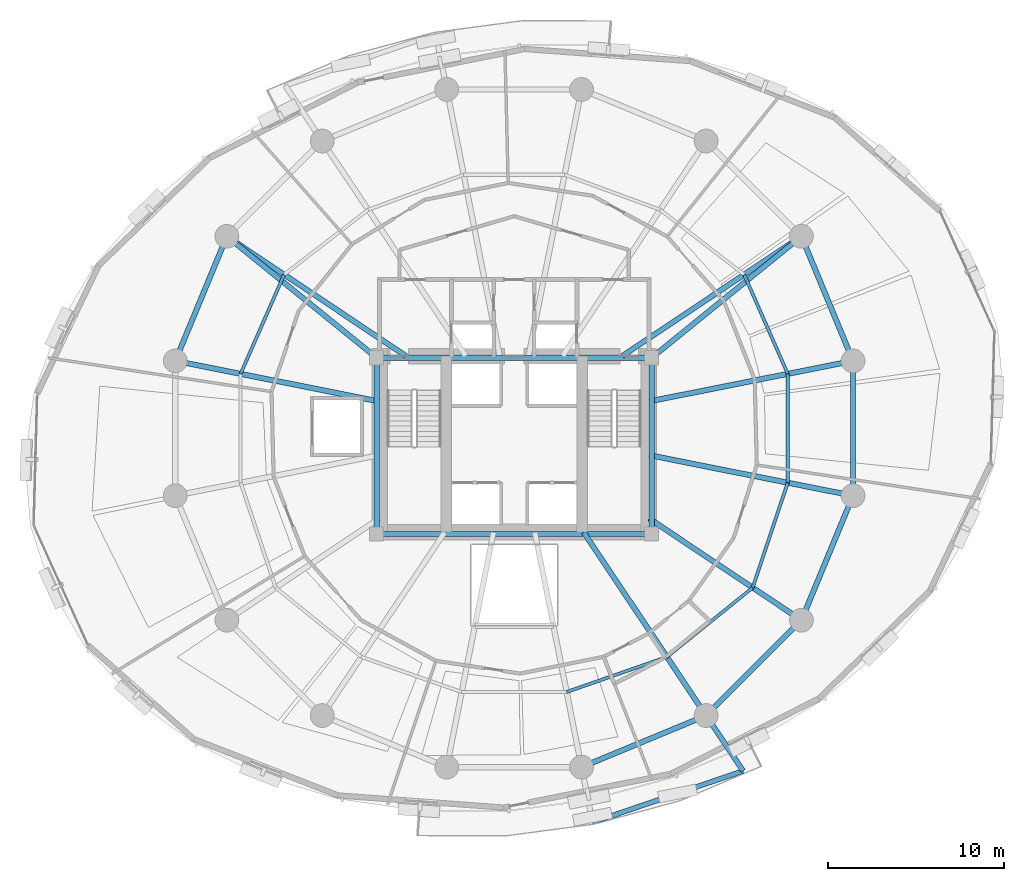
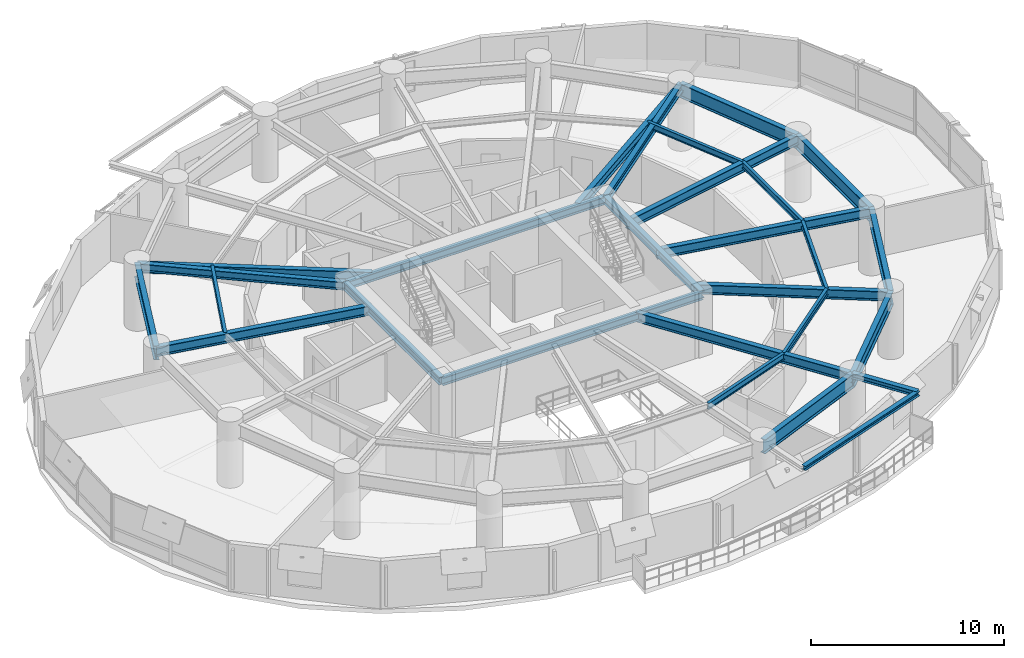
# One storey, part 7 of 17: 27 beams.
"""IFC4 building model written with IfcOpenShell, lengths in metres."""

from ifc_helpers import new_model, si_unit, direction, frame, origin, origin_2d, place, context, subcontext, project, spatial, i_section, extrude, material, material_profile, profile_set, type_object, element, save


model = new_model("IFC4")

# Units and contexts
model_context = context("Model", 3, precision=1e-05, world=origin(), true_north=direction((0.0, 1.0)))
body_context = subcontext(model_context, "Body", "Model", "MODEL_VIEW")
ifc_project = project(units=[si_unit("LENGTHUNIT", "METRE"), si_unit("AREAUNIT", "SQUARE_METRE"), si_unit("VOLUMEUNIT", "CUBIC_METRE"), si_unit("PLANEANGLEUNIT", "RADIAN"), si_unit("MASSUNIT", "GRAM", prefix="KILO"), si_unit("THERMODYNAMICTEMPERATUREUNIT", "KELVIN"), si_unit("POWERUNIT", "WATT")], contexts=[model_context])

# Site, building, storey
site_placement = place(None, origin())
site = spatial("IfcSite", under=ifc_project, at=site_placement, CompositionType="ELEMENT")
building_placement = place(site_placement, origin())
building = spatial("IfcBuilding", under=site, at=building_placement, Name="Ocrelia Relay Tower", CompositionType="ELEMENT")
storey_placement = place(building_placement, frame((0.0, 0.0, 80.39990234375)))
storey = spatial("IfcBuildingStorey", under=building, at=storey_placement, Name="L18", CompositionType="ELEMENT", Elevation=80.39990234375)

# Beams
ifc_material = material(Name="Steel S355", Category="steel")
ifc_material_profile_1 = material_profile(ifc_material, i_section(OverallWidth=0.280029296875, OverallDepth=0.27001953125, WebThickness=0.008056640625, FlangeThickness=0.012939453125, FilletRadius=0.02392578125, at=origin_2d()), Name="HEA 280")
ifc_profile_set_1 = profile_set([ifc_material_profile_1], Name="Steel S355")
beam_type_1 = type_object("IfcBeamType", Name="BM-HEA280", PredefinedType="BEAM", material=ifc_profile_set_1)
beam_1_placement = place(storey_placement, frame((38.44775390625, 3.64013671875, 3.78515625), z_axis=(0.946218248893, 0.323529017958, 0.0), x_axis=(-0.323529017958, 0.946218248893, 0.0)))
element("IfcBeam", 1, at=beam_1_placement, inside=storey, type_object=beam_type_1, Name="L19 Balcony Edge Trimmer Beam B2", PredefinedType="BEAM", context=body_context, shape_type="SweptSolid", body=[
    extrude(i_section(OverallWidth=0.280029296875, OverallDepth=0.27001953125, WebThickness=0.008056640625, FlangeThickness=0.012939453125, FilletRadius=0.02392578125, at=origin_2d()), origin(), (0.0, 0.0, 1.0), 9.026611328125),
])
ifc_material_profile_2 = material_profile(ifc_material, i_section(OverallWidth=0.300048828125, OverallDepth=0.330078125, WebThickness=0.009521484375, FlangeThickness=0.0166015625, FilletRadius=0.027099609375, at=origin_2d()), Name="HEA 340")
ifc_profile_set_2 = profile_set([ifc_material_profile_2], Name="Steel S355")
beam_type_2 = type_object("IfcBeamType", Name="BM-HEA340", PredefinedType="BEAM", material=ifc_profile_set_2)
beam_2_placement = place(storey_placement, frame((44.88916015625, 9.703125, 3.755126953125), z_axis=(0.555579368597, -0.831463508032, 0.0), x_axis=(0.831463508032, 0.555579368597, 0.0)))
element("IfcBeam", 2, at=beam_2_placement, inside=storey, type_object=beam_type_2, Name="L19 Balcony Cantilever Beam B2-2", PredefinedType="BEAM", context=body_context, shape_type="SweptSolid", body=[
    extrude(i_section(OverallWidth=0.300048828125, OverallDepth=0.330078125, WebThickness=0.009521484375, FlangeThickness=0.0166015625, FilletRadius=0.027099609375, at=origin_2d()), origin(), (0.0, 0.0, 1.0), 3.779541015625),
])
ifc_material_profile_3 = material_profile(ifc_material, i_section(OverallWidth=0.300048828125, OverallDepth=0.5, WebThickness=0.014404296875, FlangeThickness=0.028076171875, FilletRadius=0.027099609375, at=origin_2d()), Name="HEB 500")
ifc_profile_set_3 = profile_set([ifc_material_profile_3], Name="Steel S355")
beam_type_3 = type_object("IfcBeamType", Name="BM-HEB500", PredefinedType="BEAM", material=ifc_profile_set_3)
for number, where, z_axis, x_axis, name in (
    (3, (26.199951171875, 20.0, 3.670166015625), (1.0, 0.0, 0.0), (0.0, 1.0, 0.0), "L18 Core Pilaster Tie Beam S"),
    (4, (26.199951171875, 30.0, 3.670166015625), (1.0, 0.0, 0.0), (0.0, 1.0, 0.0), "L18 Core Pilaster Tie Beam N"),
):
    element("IfcBeam", number, at=place(storey_placement, frame(where, z_axis=z_axis, x_axis=x_axis)), inside=storey, type_object=beam_type_3, Name=name, PredefinedType="BEAM", context=body_context, shape_type="SweptSolid", body=[
        extrude(i_section(OverallWidth=0.300048828125, OverallDepth=0.5, WebThickness=0.014404296875, FlangeThickness=0.028076171875, FilletRadius=0.027099609375, at=origin_2d()), origin(), (0.0, 0.0, 1.0), 15.60009765625),
    ])
for number, where, z_axis, x_axis, name in (
    (5, (26.199951171875, 20.0, 3.670166015625), (0.0, 1.0, 0.0), (-1.0, 0.0, 0.0), "L18 Core Pilaster Tie Beam W"),
    (6, (41.800048828125, 20.0, 3.670166015625), (0.0, 1.0, 0.0), (-1.0, 0.0, 0.0), "L18 Core Pilaster Tie Beam E"),
):
    element("IfcBeam", number, at=place(storey_placement, frame(where, z_axis=z_axis, x_axis=x_axis)), inside=storey, type_object=beam_type_3, Name=name, PredefinedType="BEAM", context=body_context, shape_type="SweptSolid", body=[
        extrude(i_section(OverallWidth=0.300048828125, OverallDepth=0.5, WebThickness=0.014404296875, FlangeThickness=0.028076171875, FilletRadius=0.027099609375, at=origin_2d()), origin(), (0.0, 0.0, 1.0), 10.0),
    ])
for number, where, z_axis, x_axis, name in (
    (7, (50.296875, 36.88916015625, 3.670166015625), (-0.776762830896, -0.629793223637, 0.0), (0.629793223637, -0.776762830896, 0.0), "L18 Core Pilaster Frame Tie Beam PT02"),
    (8, (17.703125, 36.88916015625, 3.670166015625), (0.776762830896, -0.629793223637, 0.0), (0.629793223637, 0.776762830896, 0.0), "L18 Core Pilaster Frame Tie Beam PT07"),
):
    element("IfcBeam", number, at=place(storey_placement, frame(where, z_axis=z_axis, x_axis=x_axis)), inside=storey, type_object=beam_type_3, Name=name, PredefinedType="BEAM", context=body_context, shape_type="SweptSolid", body=[
        extrude(i_section(OverallWidth=0.300048828125, OverallDepth=0.5, WebThickness=0.014404296875, FlangeThickness=0.028076171875, FilletRadius=0.027099609375, at=origin_2d()), origin(), (0.0, 0.0, 1.0), 10.938720703125),
    ])
ifc_material_profile_4 = material_profile(ifc_material, i_section(OverallWidth=0.300048828125, OverallDepth=0.60009765625, WebThickness=0.015380859375, FlangeThickness=0.030029296875, FilletRadius=0.027099609375, at=origin_2d()), Name="HEB 600")
ifc_profile_set_4 = profile_set([ifc_material_profile_4], Name="Steel S355")
beam_type_4 = type_object("IfcBeamType", Name="BM-HEB600", PredefinedType="BEAM", material=ifc_profile_set_4)
beam_3_placement = place(storey_placement, frame((53.223388671875, 29.82373046875, 3.6201171875), z_axis=(-0.980786324446, -0.195085073187, 0.0), x_axis=(0.195085073187, -0.980786324446, 0.0)))
element("IfcBeam", 9, at=beam_3_placement, inside=storey, type_object=beam_type_4, Name="L18 Radial Floor Girder R01", PredefinedType="BEAM", context=body_context, shape_type="SweptSolid", body=[
    extrude(i_section(OverallWidth=0.300048828125, OverallDepth=0.60009765625, WebThickness=0.015380859375, FlangeThickness=0.030029296875, FilletRadius=0.027099609375, at=origin_2d()), origin(), (0.0, 0.0, 1.0), 11.794921875),
])
for number, where, z_axis, x_axis, name in (
    (10, (50.296875, 36.88916015625, 3.6201171875), (-0.831471581268, -0.555567286243, 0.0), (0.555567286243, -0.831471581268, 0.0), "L18 Radial Floor Girder R02"),
    (11, (17.703125, 36.88916015625, 3.6201171875), (0.831471581268, -0.555567286243, 0.0), (0.555567286243, 0.831471581268, 0.0), "L18 Radial Floor Girder R07"),
):
    element("IfcBeam", number, at=place(storey_placement, frame(where, z_axis=z_axis, x_axis=x_axis)), inside=storey, type_object=beam_type_4, Name=name, PredefinedType="BEAM", context=body_context, shape_type="SweptSolid", body=[
        extrude(i_section(OverallWidth=0.300048828125, OverallDepth=0.60009765625, WebThickness=0.015380859375, FlangeThickness=0.030029296875, FilletRadius=0.027099609375, at=origin_2d()), origin(), (0.0, 0.0, 1.0), 12.211181640625),
    ])
beam_4_placement = place(storey_placement, frame((14.776611328125, 29.82373046875, 3.6201171875), z_axis=(0.980786938484, -0.195081986098, 0.0), x_axis=(0.195081986098, 0.980786938484, 0.0)))
element("IfcBeam", 12, at=beam_4_placement, inside=storey, type_object=beam_type_4, Name="L18 Radial Floor Girder R08", PredefinedType="BEAM", context=body_context, shape_type="SweptSolid", body=[
    extrude(i_section(OverallWidth=0.300048828125, OverallDepth=0.60009765625, WebThickness=0.015380859375, FlangeThickness=0.030029296875, FilletRadius=0.027099609375, at=origin_2d()), origin(), (0.0, 0.0, 1.0), 11.80517578125),
])
beam_5_placement = place(storey_placement, frame((44.88916015625, 9.703125, 3.6201171875), z_axis=(-0.555569912646, 0.831469826369, 0.0), x_axis=(-0.831469826369, -0.555569912646, 0.0)))
element("IfcBeam", 13, at=beam_5_placement, inside=storey, type_object=beam_type_4, Name="L18 Radial Floor Girder R14", PredefinedType="BEAM", context=body_context, shape_type="SweptSolid", body=[
    extrude(i_section(OverallWidth=0.300048828125, OverallDepth=0.60009765625, WebThickness=0.015380859375, FlangeThickness=0.030029296875, FilletRadius=0.027099609375, at=origin_2d()), origin(), (0.0, 0.0, 1.0), 12.498046875),
])
beam_6_placement = place(storey_placement, frame((50.296875, 15.11083984375, 3.6201171875), z_axis=(-0.831475246583, 0.555561800631, 0.0), x_axis=(-0.555561800631, -0.831475246583, 0.0)))
element("IfcBeam", 14, at=beam_6_placement, inside=storey, type_object=beam_type_4, Name="L18 Radial Floor Girder R15", PredefinedType="BEAM", context=body_context, shape_type="SweptSolid", body=[
    extrude(i_section(OverallWidth=0.300048828125, OverallDepth=0.60009765625, WebThickness=0.015380859375, FlangeThickness=0.030029296875, FilletRadius=0.027099609375, at=origin_2d()), origin(), (0.0, 0.0, 1.0), 10.393310546875),
])
beam_7_placement = place(storey_placement, frame((53.223388671875, 22.17626953125, 3.6201171875), z_axis=(-0.980786324446, 0.195085073187, 0.0), x_axis=(-0.195085073187, -0.980786324446, 0.0)))
element("IfcBeam", 15, at=beam_7_placement, inside=storey, type_object=beam_type_4, Name="L18 Radial Floor Girder R16", PredefinedType="BEAM", context=body_context, shape_type="SweptSolid", body=[
    extrude(i_section(OverallWidth=0.300048828125, OverallDepth=0.60009765625, WebThickness=0.015380859375, FlangeThickness=0.030029296875, FilletRadius=0.027099609375, at=origin_2d()), origin(), (0.0, 0.0, 1.0), 11.794921875),
])
ifc_material_profile_5 = material_profile(ifc_material, i_section(OverallWidth=0.300048828125, OverallDepth=0.89990234375, WebThickness=0.0185546875, FlangeThickness=0.034912109375, FilletRadius=0.030029296875, at=origin_2d()), Name="HEB 900")
ifc_profile_set_5 = profile_set([ifc_material_profile_5], Name="Steel S355")
beam_type_5 = type_object("IfcBeamType", Name="BM-HEB900", PredefinedType="BEAM", material=ifc_profile_set_5)
for number, where, z_axis, x_axis, name in (
    (16, (53.223388671875, 29.82373046875, 3.47021484375), (-0.382674154222, 0.923883375589, 0.0), (-0.923883375589, -0.382674154222, 0.0), "L18 Perimeter Spandrel Beam S01"),
    (17, (17.703125, 36.88916015625, 3.47021484375), (-0.382674154222, -0.923883375589, 0.0), (0.923883375589, -0.382674154222, 0.0), "L18 Perimeter Spandrel Beam S07"),
    (18, (37.82373046875, 6.776611328125, 3.47021484375), (0.923883375589, 0.382674154222, 0.0), (-0.382674154222, 0.923883375589, 0.0), "L18 Perimeter Spandrel Beam S13"),
):
    element("IfcBeam", number, at=place(storey_placement, frame(where, z_axis=z_axis, x_axis=x_axis)), inside=storey, type_object=beam_type_5, Name=name, PredefinedType="BEAM", context=body_context, shape_type="SweptSolid", body=[
        extrude(i_section(OverallWidth=0.300048828125, OverallDepth=0.89990234375, WebThickness=0.0185546875, FlangeThickness=0.034912109375, FilletRadius=0.030029296875, at=origin_2d()), origin(), (0.0, 0.0, 1.0), 7.6474609375),
    ])
beam_8_placement = place(storey_placement, frame((44.88916015625, 9.703125, 3.47021484375), z_axis=(0.707106781187, 0.707106781187, 0.0), x_axis=(-0.707106781187, 0.707106781187, 0.0)))
element("IfcBeam", 19, at=beam_8_placement, inside=storey, type_object=beam_type_5, Name="L18 Perimeter Spandrel Beam S14", PredefinedType="BEAM", context=body_context, shape_type="SweptSolid", body=[
    extrude(i_section(OverallWidth=0.300048828125, OverallDepth=0.89990234375, WebThickness=0.0185546875, FlangeThickness=0.034912109375, FilletRadius=0.030029296875, at=origin_2d()), origin(), (0.0, 0.0, 1.0), 7.647705078125),
])
for number, where, z_axis, x_axis, name in (
    (20, (50.296875, 15.11083984375, 3.47021484375), (0.382674154222, 0.923883375589, 0.0), (-0.923883375589, 0.382674154222, 0.0), "L18 Perimeter Spandrel Beam S15"),
    (21, (53.223388671875, 22.17626953125, 3.47021484375), (0.0, 1.0, 0.0), (-1.0, 0.0, 0.0), "L18 Perimeter Spandrel Beam S16"),
):
    element("IfcBeam", number, at=place(storey_placement, frame(where, z_axis=z_axis, x_axis=x_axis)), inside=storey, type_object=beam_type_5, Name=name, PredefinedType="BEAM", context=body_context, shape_type="SweptSolid", body=[
        extrude(i_section(OverallWidth=0.300048828125, OverallDepth=0.89990234375, WebThickness=0.0185546875, FlangeThickness=0.034912109375, FilletRadius=0.030029296875, at=origin_2d()), origin(), (0.0, 0.0, 1.0), 7.6474609375),
    ])
ifc_material_profile_6 = material_profile(ifc_material, i_section(OverallWidth=0.179931640625, OverallDepth=0.39990234375, WebThickness=0.008544921875, FlangeThickness=0.013427734375, FilletRadius=0.02099609375, at=origin_2d()), Name="IPE 400")
ifc_profile_set_6 = profile_set([ifc_material_profile_6], Name="Steel S355")
beam_type_6 = type_object("IfcBeamType", Name="BM-IPE400", PredefinedType="JOIST", material=ifc_profile_set_6)
beam_9_placement = place(storey_placement, frame((49.521484375, 29.08740234375, 3.72021484375), z_axis=(-0.402201104053, 0.915551348586, 0.0), x_axis=(-0.915551348586, -0.402201104053, 0.0)))
element("IfcBeam", 22, at=beam_9_placement, inside=storey, type_object=beam_type_6, Name="L18 Secondary Floor Joist J01", PredefinedType="JOIST", context=body_context, shape_type="SweptSolid", body=[
    extrude(i_section(OverallWidth=0.179931640625, OverallDepth=0.39990234375, WebThickness=0.008544921875, FlangeThickness=0.013427734375, FilletRadius=0.02099609375, at=origin_2d()), origin(), (0.0, 0.0, 1.0), 6.150146484375),
])
beam_10_placement = place(storey_placement, frame((20.9521484375, 34.71826171875, 3.72021484375), z_axis=(-0.401739185135, -0.915754130281, 0.0), x_axis=(0.915754130281, -0.401739185135, 0.0)))
element("IfcBeam", 23, at=beam_10_placement, inside=storey, type_object=beam_type_6, Name="L18 Secondary Floor Joist J07", PredefinedType="JOIST", context=body_context, shape_type="SweptSolid", body=[
    extrude(i_section(OverallWidth=0.179931640625, OverallDepth=0.39990234375, WebThickness=0.008544921875, FlangeThickness=0.013427734375, FilletRadius=0.02099609375, at=origin_2d()), origin(), (0.0, 0.0, 1.0), 6.1494140625),
])
beam_11_placement = place(storey_placement, frame((36.97607421875, 11.03857421875, 3.72021484375), z_axis=(0.943957429675, 0.330067221882, 0.0), x_axis=(-0.330067221882, 0.943957429675, 0.0)))
element("IfcBeam", 24, at=beam_11_placement, inside=storey, type_object=beam_type_6, Name="L18 Secondary Floor Joist J13", PredefinedType="JOIST", context=body_context, shape_type="SweptSolid", body=[
    extrude(i_section(OverallWidth=0.179931640625, OverallDepth=0.39990234375, WebThickness=0.008544921875, FlangeThickness=0.013427734375, FilletRadius=0.02099609375, at=origin_2d()), origin(), (0.0, 0.0, 1.0), 6.029052734375),
])
beam_12_placement = place(storey_placement, frame((42.667236328125, 13.028564453125, 3.72021484375), z_axis=(0.777854562422, 0.628444333031, 0.0), x_axis=(-0.628444333031, 0.777854562422, 0.0)))
element("IfcBeam", 25, at=beam_12_placement, inside=storey, type_object=beam_type_6, Name="L18 Secondary Floor Joist J14", PredefinedType="JOIST", context=body_context, shape_type="SweptSolid", body=[
    extrude(i_section(OverallWidth=0.179931640625, OverallDepth=0.39990234375, WebThickness=0.008544921875, FlangeThickness=0.013427734375, FilletRadius=0.02099609375, at=origin_2d()), origin(), (0.0, 0.0, 1.0), 6.25341796875),
])
beam_13_placement = place(storey_placement, frame((47.531494140625, 16.95849609375, 3.72021484375), z_axis=(0.31698600471, 0.948430215049, 0.0), x_axis=(-0.948430215049, 0.31698600471, 0.0)))
element("IfcBeam", 26, at=beam_13_placement, inside=storey, type_object=beam_type_6, Name="L18 Secondary Floor Joist J15", PredefinedType="JOIST", context=body_context, shape_type="SweptSolid", body=[
    extrude(i_section(OverallWidth=0.179931640625, OverallDepth=0.39990234375, WebThickness=0.008544921875, FlangeThickness=0.013427734375, FilletRadius=0.02099609375, at=origin_2d()), origin(), (0.0, 0.0, 1.0), 6.27783203125),
])
beam_14_placement = place(storey_placement, frame((49.521484375, 22.91259765625, 3.72021484375), z_axis=(0.0, 1.0, 0.0), x_axis=(-1.0, 0.0, 0.0)))
element("IfcBeam", 27, at=beam_14_placement, inside=storey, type_object=beam_type_6, Name="L18 Secondary Floor Joist J16", PredefinedType="JOIST", context=body_context, shape_type="SweptSolid", body=[
    extrude(i_section(OverallWidth=0.179931640625, OverallDepth=0.39990234375, WebThickness=0.008544921875, FlangeThickness=0.013427734375, FilletRadius=0.02099609375, at=origin_2d()), origin(), (0.0, 0.0, 1.0), 6.1748046875),
])

save(model, "model.ifc")
